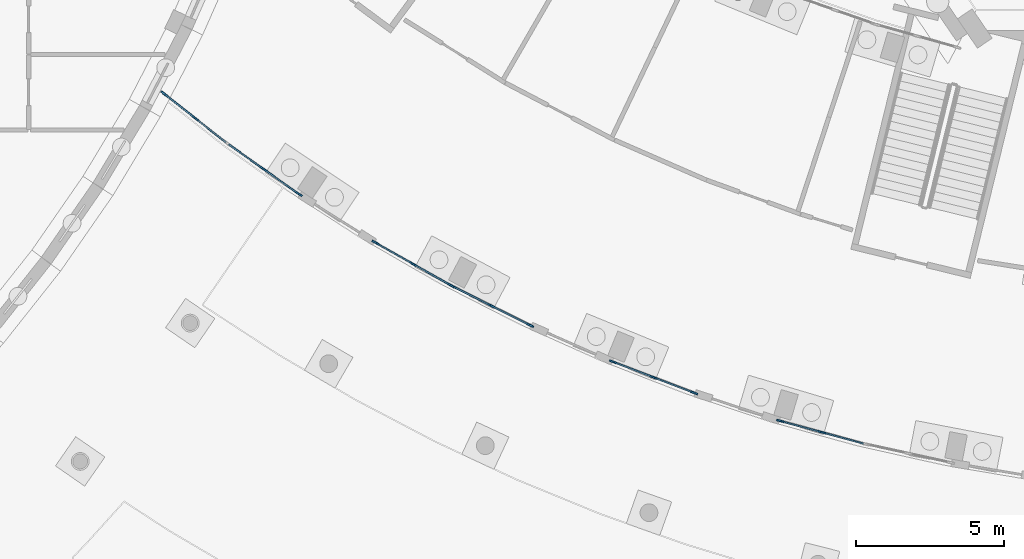
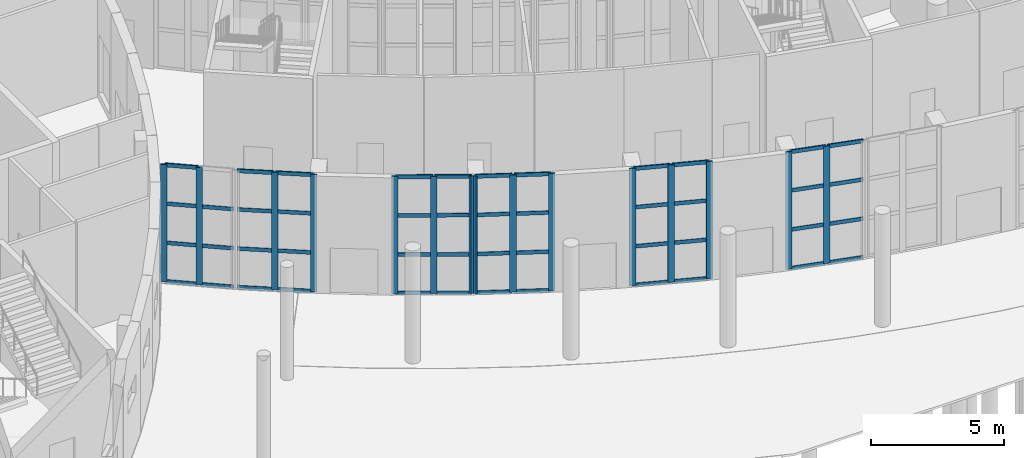
# One storey, part 18 of 82: 62 members, 6 elements without a shape of their own.
"""IFC4 building model written with IfcOpenShell, lengths in metres."""

from ifc_helpers import new_model, si_unit, direction, frame, origin, origin_2d, place, context, subcontext, project, spatial, rectangle, extrude, material, material_profile, profile_set, type_object, element, aggregate, save


model = new_model("IFC4")

# Units and contexts
model_context = context("Model", 3, precision=1e-05, world=origin(), true_north=direction((0.0, 1.0)))
body_context = subcontext(model_context, "Body", "Model", "MODEL_VIEW")
ifc_project = project(units=[si_unit("LENGTHUNIT", "METRE"), si_unit("AREAUNIT", "SQUARE_METRE"), si_unit("VOLUMEUNIT", "CUBIC_METRE"), si_unit("PLANEANGLEUNIT", "RADIAN"), si_unit("MASSUNIT", "GRAM", prefix="KILO")], contexts=[model_context])

# Site, building, storey
site_placement = place(None, origin())
site = spatial("IfcSite", under=ifc_project, at=site_placement, CompositionType="ELEMENT")
building_placement = place(site_placement, origin())
building = spatial("IfcBuilding", under=site, at=building_placement, Name="Tide Square Theatres", CompositionType="ELEMENT")
storey_placement = place(building_placement, origin())
storey = spatial("IfcBuildingStorey", under=building, at=storey_placement, Name="L00", CompositionType="ELEMENT", Elevation=0.0)

# Curtain wall, members
ifc_material_1 = material(Name="Aluminium 6063-T5", Category="aluminium")
curtain_wall_type = type_object("IfcCurtainWallType", Name="Unitised system curtain wall 5400 high", PredefinedType="USERDEFINED", material=ifc_material_1)
curtain_wall_1_placement = place(storey_placement, origin())
curtain_wall_1 = element("IfcCurtainWall", 1, at=curtain_wall_1_placement, inside=storey, type_object=curtain_wall_type, Name="Foyer outer curtain wall", ObjectType="UNITISED SYSTEM", PredefinedType="USERDEFINED")
ifc_material_2 = material(Name="Aluminium 6063-T5", Category="aluminium")
ifc_material_profile_1 = material_profile(ifc_material_2, rectangle(XDim=0.06005859375, YDim=0.25, at=origin_2d()))
ifc_profile_set_1 = profile_set([ifc_material_profile_1], Name="Aluminium 6063-T5")
member_type_1 = type_object("IfcMemberType", Name="Aluminium mullion 60 x 250", PredefinedType="MULLION", material=ifc_profile_set_1)
member_1_placement = place(storey_placement, frame((46.074462890625, 21.67626953125, 0.0), z_axis=(0.0, 0.0, 1.0), x_axis=(0.617609263904, 0.786485090221, 0.0)))
member_1 = element("IfcMember", 2, at=member_1_placement, type_object=member_type_1, Name="CW-01 mullion 1", PredefinedType="MULLION", context=body_context, shape_type="SweptSolid", body=[
    extrude(rectangle(XDim=0.06005859375, YDim=0.25, at=origin_2d()), origin(), (0.0, 0.0, 1.0), 5.39990234375),
])
member_2_placement = place(storey_placement, frame((47.130859375, 20.8466796875, 0.0), z_axis=(0.0, 0.0, 1.0), x_axis=(0.617609263904, 0.786485090221, 0.0)))
member_2 = element("IfcMember", 3, at=member_2_placement, type_object=member_type_1, Name="CW-01 mullion 2", PredefinedType="MULLION", context=body_context, shape_type="SweptSolid", body=[
    extrude(rectangle(XDim=0.06005859375, YDim=0.25, at=origin_2d()), origin(), (0.0, 0.0, 1.0), 5.39990234375),
])

curtain_wall_2_placement = place(storey_placement, origin())
curtain_wall_2 = element("IfcCurtainWall", 4, at=curtain_wall_2_placement, inside=storey, type_object=curtain_wall_type, Name="Foyer outer curtain wall", ObjectType="UNITISED SYSTEM", PredefinedType="USERDEFINED")
member_3_placement = place(storey_placement, frame((49.433837890625, 19.13330078125, 0.0), z_axis=(0.0, 0.0, 1.0), x_axis=(0.577503246104, 0.816388388415, 0.0)))
member_3 = element("IfcMember", 5, at=member_3_placement, type_object=member_type_1, Name="CW-01 mullion 2", PredefinedType="MULLION", context=body_context, shape_type="SweptSolid", body=[
    extrude(rectangle(XDim=0.06005859375, YDim=0.25, at=origin_2d()), origin(), (0.0, 0.0, 1.0), 5.39990234375),
])
member_4_placement = place(storey_placement, frame((50.63232421875, 18.28564453125, 0.0), z_axis=(0.0, 0.0, 1.0), x_axis=(0.577503246104, 0.816388388415, 0.0)))
member_4 = element("IfcMember", 6, at=member_4_placement, type_object=member_type_1, Name="CW-01 mullion 3", PredefinedType="MULLION", context=body_context, shape_type="SweptSolid", body=[
    extrude(rectangle(XDim=0.06005859375, YDim=0.25, at=origin_2d()), origin(), (0.0, 0.0, 1.0), 5.39990234375),
])

curtain_wall_3_placement = place(storey_placement, origin())
curtain_wall_3 = element("IfcCurtainWall", 7, at=curtain_wall_3_placement, inside=storey, type_object=curtain_wall_type, Name="Foyer outer curtain wall", ObjectType="UNITISED SYSTEM", PredefinedType="USERDEFINED")
member_5_placement = place(storey_placement, frame((53.212158203125, 16.64794921875, 0.0), z_axis=(0.0, 0.0, 1.0), x_axis=(0.493019309235, 0.870018368037, 0.0)))
member_5 = element("IfcMember", 8, at=member_5_placement, type_object=member_type_1, Name="CW-01 mullion 1", PredefinedType="MULLION", context=body_context, shape_type="SweptSolid", body=[
    extrude(rectangle(XDim=0.06005859375, YDim=0.25, at=origin_2d()), origin(), (0.0, 0.0, 1.0), 5.39990234375),
])
member_6_placement = place(storey_placement, frame((54.489501953125, 15.924072265625, 0.0), z_axis=(0.0, 0.0, 1.0), x_axis=(0.493019309235, 0.870018368037, 0.0)))
member_6 = element("IfcMember", 9, at=member_6_placement, type_object=member_type_1, Name="CW-01 mullion 2", PredefinedType="MULLION", context=body_context, shape_type="SweptSolid", body=[
    extrude(rectangle(XDim=0.06005859375, YDim=0.25, at=origin_2d()), origin(), (0.0, 0.0, 1.0), 5.39990234375),
])
member_7_placement = place(storey_placement, frame((55.7666015625, 15.200439453125, 0.0), z_axis=(0.0, 0.0, 1.0), x_axis=(0.493019309235, 0.870018368037, 0.0)))
member_7 = element("IfcMember", 10, at=member_7_placement, type_object=member_type_1, Name="CW-01 mullion 3", PredefinedType="MULLION", context=body_context, shape_type="SweptSolid", body=[
    extrude(rectangle(XDim=0.06005859375, YDim=0.25, at=origin_2d()), origin(), (0.0, 0.0, 1.0), 5.39990234375),
])

curtain_wall_4_placement = place(storey_placement, origin())
curtain_wall_4 = element("IfcCurtainWall", 11, at=curtain_wall_4_placement, inside=storey, type_object=curtain_wall_type, Name="Foyer outer curtain wall", ObjectType="UNITISED SYSTEM", PredefinedType="USERDEFINED")
member_8_placement = place(storey_placement, frame((55.819580078125, 15.172119140625, 0.0), z_axis=(0.0, 0.0, 1.0), x_axis=(0.448868382034, 0.893597882501, 0.0)))
member_8 = element("IfcMember", 12, at=member_8_placement, type_object=member_type_1, Name="CW-01 mullion 1", PredefinedType="MULLION", context=body_context, shape_type="SweptSolid", body=[
    extrude(rectangle(XDim=0.06005859375, YDim=0.25, at=origin_2d()), origin(), (0.0, 0.0, 1.0), 5.39990234375),
])
member_9_placement = place(storey_placement, frame((57.13134765625, 14.51318359375, 0.0), z_axis=(0.0, 0.0, 1.0), x_axis=(0.448868382034, 0.893597882501, 0.0)))
member_9 = element("IfcMember", 13, at=member_9_placement, type_object=member_type_1, Name="CW-01 mullion 2", PredefinedType="MULLION", context=body_context, shape_type="SweptSolid", body=[
    extrude(rectangle(XDim=0.06005859375, YDim=0.25, at=origin_2d()), origin(), (0.0, 0.0, 1.0), 5.39990234375),
])
member_10_placement = place(storey_placement, frame((58.443115234375, 13.854248046875, 0.0), z_axis=(0.0, 0.0, 1.0), x_axis=(0.448868382034, 0.893597882501, 0.0)))
member_10 = element("IfcMember", 14, at=member_10_placement, type_object=member_type_1, Name="CW-01 mullion 3", PredefinedType="MULLION", context=body_context, shape_type="SweptSolid", body=[
    extrude(rectangle(XDim=0.06005859375, YDim=0.25, at=origin_2d()), origin(), (0.0, 0.0, 1.0), 5.39990234375),
])

curtain_wall_5_placement = place(storey_placement, origin())
curtain_wall_5 = element("IfcCurtainWall", 15, at=curtain_wall_5_placement, inside=storey, type_object=curtain_wall_type, Name="Foyer outer curtain wall", ObjectType="UNITISED SYSTEM", PredefinedType="USERDEFINED")
member_11_placement = place(storey_placement, frame((61.239013671875, 12.620849609375, 0.0), z_axis=(0.0, 0.0, 1.0), x_axis=(0.357352440873, 0.933969610321, 0.0)))
member_11 = element("IfcMember", 16, at=member_11_placement, type_object=member_type_1, Name="CW-01 mullion 1", PredefinedType="MULLION", context=body_context, shape_type="SweptSolid", body=[
    extrude(rectangle(XDim=0.06005859375, YDim=0.25, at=origin_2d()), origin(), (0.0, 0.0, 1.0), 5.39990234375),
])
member_12_placement = place(storey_placement, frame((62.610107421875, 12.09619140625, 0.0), z_axis=(0.0, 0.0, 1.0), x_axis=(0.357352440873, 0.933969610321, 0.0)))
member_12 = element("IfcMember", 17, at=member_12_placement, type_object=member_type_1, Name="CW-01 mullion 2", PredefinedType="MULLION", context=body_context, shape_type="SweptSolid", body=[
    extrude(rectangle(XDim=0.06005859375, YDim=0.25, at=origin_2d()), origin(), (0.0, 0.0, 1.0), 5.39990234375),
])
member_13_placement = place(storey_placement, frame((63.981201171875, 11.571533203125, 0.0), z_axis=(0.0, 0.0, 1.0), x_axis=(0.357352440873, 0.933969610321, 0.0)))
member_13 = element("IfcMember", 18, at=member_13_placement, type_object=member_type_1, Name="CW-01 mullion 3", PredefinedType="MULLION", context=body_context, shape_type="SweptSolid", body=[
    extrude(rectangle(XDim=0.06005859375, YDim=0.25, at=origin_2d()), origin(), (0.0, 0.0, 1.0), 5.39990234375),
])

curtain_wall_6_placement = place(storey_placement, origin())
curtain_wall_6 = element("IfcCurtainWall", 19, at=curtain_wall_6_placement, inside=storey, type_object=curtain_wall_type, Name="Foyer outer curtain wall", ObjectType="UNITISED SYSTEM", PredefinedType="USERDEFINED")
member_14_placement = place(storey_placement, frame((66.88623046875, 10.62353515625, 0.0), z_axis=(0.0, 0.0, 1.0), x_axis=(0.262213530715, 0.96500987783, 0.0)))
member_14 = element("IfcMember", 20, at=member_14_placement, type_object=member_type_1, Name="CW-01 mullion 1", PredefinedType="MULLION", context=body_context, shape_type="SweptSolid", body=[
    extrude(rectangle(XDim=0.06005859375, YDim=0.25, at=origin_2d()), origin(), (0.0, 0.0, 1.0), 5.39990234375),
])
member_15_placement = place(storey_placement, frame((68.302978515625, 10.23876953125, 0.0), z_axis=(0.0, 0.0, 1.0), x_axis=(0.262213530715, 0.96500987783, 0.0)))
member_15 = element("IfcMember", 21, at=member_15_placement, type_object=member_type_1, Name="CW-01 mullion 2", PredefinedType="MULLION", context=body_context, shape_type="SweptSolid", body=[
    extrude(rectangle(XDim=0.06005859375, YDim=0.25, at=origin_2d()), origin(), (0.0, 0.0, 1.0), 5.39990234375),
])

# Member
ifc_material_3 = material(Name="Aluminium 6063-T5", Category="aluminium")
ifc_material_profile_2 = material_profile(ifc_material_3, rectangle(XDim=0.050048828125, YDim=0.175048828125, at=origin_2d()))
ifc_profile_set_2 = profile_set([ifc_material_profile_2], Name="Aluminium 6063-T5")
member_type_2 = type_object("IfcMemberType", Name="Aluminium transom 50 x 175", PredefinedType="USERDEFINED", material=ifc_profile_set_2)
member_16_placement = place(storey_placement, frame((46.097900390625, 21.65771484375, 0.02490234375), z_axis=(0.786516356224, -0.617569446614, 0.0), x_axis=(0.617569446614, 0.786516356224, 0.0)))
member_16 = element("IfcMember", 22, at=member_16_placement, type_object=member_type_2, Name="CW-01 transom 1.1", ObjectType="TRANSOM", PredefinedType="USERDEFINED", context=body_context, shape_type="SweptSolid", body=[
    extrude(rectangle(XDim=0.050048828125, YDim=0.175048828125, at=origin_2d()), origin(), (0.0, 0.0, 1.0), 1.283203125),
])

member_17_placement = place(storey_placement, frame((46.097900390625, 21.65771484375, 1.800048828125), z_axis=(0.786516356224, -0.617569446614, 0.0), x_axis=(0.617569446614, 0.786516356224, 0.0)))
member_17 = element("IfcMember", 23, at=member_17_placement, type_object=member_type_2, Name="CW-01 transom 1.2", ObjectType="TRANSOM", PredefinedType="USERDEFINED", context=body_context, shape_type="SweptSolid", body=[
    extrude(rectangle(XDim=0.050048828125, YDim=0.175048828125, at=origin_2d()), origin(), (0.0, 0.0, 1.0), 1.283203125),
])

member_18_placement = place(storey_placement, frame((46.097900390625, 21.65771484375, 3.60009765625), z_axis=(0.786516356224, -0.617569446614, 0.0), x_axis=(0.617569446614, 0.786516356224, 0.0)))
member_18 = element("IfcMember", 24, at=member_18_placement, type_object=member_type_2, Name="CW-01 transom 1.3", ObjectType="TRANSOM", PredefinedType="USERDEFINED", context=body_context, shape_type="SweptSolid", body=[
    extrude(rectangle(XDim=0.050048828125, YDim=0.175048828125, at=origin_2d()), origin(), (0.0, 0.0, 1.0), 1.283203125),
])

member_19_placement = place(storey_placement, frame((46.097900390625, 21.65771484375, 5.375), z_axis=(0.786516356224, -0.617569446614, 0.0), x_axis=(0.617569446614, 0.786516356224, 0.0)))
member_19 = element("IfcMember", 25, at=member_19_placement, type_object=member_type_2, Name="CW-01 transom 1.4", ObjectType="TRANSOM", PredefinedType="USERDEFINED", context=body_context, shape_type="SweptSolid", body=[
    extrude(rectangle(XDim=0.050048828125, YDim=0.175048828125, at=origin_2d()), origin(), (0.0, 0.0, 1.0), 1.283203125),
])

member_20_placement = place(storey_placement, frame((47.154296875, 20.828125, 0.02490234375), z_axis=(0.786516356224, -0.617569446614, 0.0), x_axis=(0.617569446614, 0.786516356224, 0.0)))
member_20 = element("IfcMember", 26, at=member_20_placement, type_object=member_type_2, Name="CW-01 transom 2.1", ObjectType="TRANSOM", PredefinedType="USERDEFINED", context=body_context, shape_type="SweptSolid", body=[
    extrude(rectangle(XDim=0.050048828125, YDim=0.175048828125, at=origin_2d()), origin(), (0.0, 0.0, 1.0), 1.283203125),
])

member_21_placement = place(storey_placement, frame((47.154296875, 20.828125, 1.800048828125), z_axis=(0.786516356224, -0.617569446614, 0.0), x_axis=(0.617569446614, 0.786516356224, 0.0)))
member_21 = element("IfcMember", 27, at=member_21_placement, type_object=member_type_2, Name="CW-01 transom 2.2", ObjectType="TRANSOM", PredefinedType="USERDEFINED", context=body_context, shape_type="SweptSolid", body=[
    extrude(rectangle(XDim=0.050048828125, YDim=0.175048828125, at=origin_2d()), origin(), (0.0, 0.0, 1.0), 1.283203125),
])

member_22_placement = place(storey_placement, frame((47.154296875, 20.828125, 3.60009765625), z_axis=(0.786516356224, -0.617569446614, 0.0), x_axis=(0.617569446614, 0.786516356224, 0.0)))
member_22 = element("IfcMember", 28, at=member_22_placement, type_object=member_type_2, Name="CW-01 transom 2.3", ObjectType="TRANSOM", PredefinedType="USERDEFINED", context=body_context, shape_type="SweptSolid", body=[
    extrude(rectangle(XDim=0.050048828125, YDim=0.175048828125, at=origin_2d()), origin(), (0.0, 0.0, 1.0), 1.283203125),
])

aggregate(curtain_wall_1, [member_1, member_2, member_16, member_17, member_18, member_19, member_20, member_21, member_22])

member_23_placement = place(storey_placement, frame((48.259765625, 19.9638671875, 0.02490234375), z_axis=(0.816337873043, -0.577574650617, 0.0), x_axis=(0.577574650617, 0.816337873043, 0.0)))
member_23 = element("IfcMember", 29, at=member_23_placement, type_object=member_type_2, Name="CW-01 transom 1.1", ObjectType="TRANSOM", PredefinedType="USERDEFINED", context=body_context, shape_type="SweptSolid", body=[
    extrude(rectangle(XDim=0.050048828125, YDim=0.175048828125, at=origin_2d()), origin(), (0.0, 0.0, 1.0), 1.407958984375),
])

member_24_placement = place(storey_placement, frame((48.259765625, 19.9638671875, 1.800048828125), z_axis=(0.816337873043, -0.577574650617, 0.0), x_axis=(0.577574650617, 0.816337873043, 0.0)))
member_24 = element("IfcMember", 30, at=member_24_placement, type_object=member_type_2, Name="CW-01 transom 1.2", ObjectType="TRANSOM", PredefinedType="USERDEFINED", context=body_context, shape_type="SweptSolid", body=[
    extrude(rectangle(XDim=0.050048828125, YDim=0.175048828125, at=origin_2d()), origin(), (0.0, 0.0, 1.0), 1.407958984375),
])

member_25_placement = place(storey_placement, frame((48.259765625, 19.9638671875, 3.60009765625), z_axis=(0.816337873043, -0.577574650617, 0.0), x_axis=(0.577574650617, 0.816337873043, 0.0)))
member_25 = element("IfcMember", 31, at=member_25_placement, type_object=member_type_2, Name="CW-01 transom 1.3", ObjectType="TRANSOM", PredefinedType="USERDEFINED", context=body_context, shape_type="SweptSolid", body=[
    extrude(rectangle(XDim=0.050048828125, YDim=0.175048828125, at=origin_2d()), origin(), (0.0, 0.0, 1.0), 1.407958984375),
])

member_26_placement = place(storey_placement, frame((48.259765625, 19.9638671875, 5.375), z_axis=(0.816337873043, -0.577574650617, 0.0), x_axis=(0.577574650617, 0.816337873043, 0.0)))
member_26 = element("IfcMember", 32, at=member_26_placement, type_object=member_type_2, Name="CW-01 transom 1.4", ObjectType="TRANSOM", PredefinedType="USERDEFINED", context=body_context, shape_type="SweptSolid", body=[
    extrude(rectangle(XDim=0.050048828125, YDim=0.175048828125, at=origin_2d()), origin(), (0.0, 0.0, 1.0), 1.407958984375),
])

member_27_placement = place(storey_placement, frame((49.458251953125, 19.115966796875, 0.02490234375), z_axis=(0.816419627531, -0.577459082345, 0.0), x_axis=(0.577459082345, 0.816419627531, 0.0)))
member_27 = element("IfcMember", 33, at=member_27_placement, type_object=member_type_2, Name="CW-01 transom 2.1", ObjectType="TRANSOM", PredefinedType="USERDEFINED", context=body_context, shape_type="SweptSolid", body=[
    extrude(rectangle(XDim=0.050048828125, YDim=0.175048828125, at=origin_2d()), origin(), (0.0, 0.0, 1.0), 1.407958984375),
])

member_28_placement = place(storey_placement, frame((49.458251953125, 19.115966796875, 1.800048828125), z_axis=(0.816419627531, -0.577459082345, 0.0), x_axis=(0.577459082345, 0.816419627531, 0.0)))
member_28 = element("IfcMember", 34, at=member_28_placement, type_object=member_type_2, Name="CW-01 transom 2.2", ObjectType="TRANSOM", PredefinedType="USERDEFINED", context=body_context, shape_type="SweptSolid", body=[
    extrude(rectangle(XDim=0.050048828125, YDim=0.175048828125, at=origin_2d()), origin(), (0.0, 0.0, 1.0), 1.407958984375),
])

member_29_placement = place(storey_placement, frame((49.458251953125, 19.115966796875, 3.60009765625), z_axis=(0.816419627531, -0.577459082345, 0.0), x_axis=(0.577459082345, 0.816419627531, 0.0)))
member_29 = element("IfcMember", 35, at=member_29_placement, type_object=member_type_2, Name="CW-01 transom 2.3", ObjectType="TRANSOM", PredefinedType="USERDEFINED", context=body_context, shape_type="SweptSolid", body=[
    extrude(rectangle(XDim=0.050048828125, YDim=0.175048828125, at=origin_2d()), origin(), (0.0, 0.0, 1.0), 1.407958984375),
])

member_30_placement = place(storey_placement, frame((49.458251953125, 19.115966796875, 5.375), z_axis=(0.816419627531, -0.577459082345, 0.0), x_axis=(0.577459082345, 0.816419627531, 0.0)))
member_30 = element("IfcMember", 36, at=member_30_placement, type_object=member_type_2, Name="CW-01 transom 2.4", ObjectType="TRANSOM", PredefinedType="USERDEFINED", context=body_context, shape_type="SweptSolid", body=[
    extrude(rectangle(XDim=0.050048828125, YDim=0.175048828125, at=origin_2d()), origin(), (0.0, 0.0, 1.0), 1.407958984375),
])

aggregate(curtain_wall_2, [member_3, member_4, member_23, member_24, member_25, member_26, member_27, member_28, member_29, member_30])

member_31_placement = place(storey_placement, frame((53.23828125, 16.633056640625, 0.02490234375), z_axis=(0.870061847947, -0.492942573478, 0.0), x_axis=(0.492942573478, 0.870061847947, 0.0)))
member_31 = element("IfcMember", 37, at=member_31_placement, type_object=member_type_2, Name="CW-01 transom 1.1", ObjectType="TRANSOM", PredefinedType="USERDEFINED", context=body_context, shape_type="SweptSolid", body=[
    extrude(rectangle(XDim=0.050048828125, YDim=0.175048828125, at=origin_2d()), origin(), (0.0, 0.0, 1.0), 1.407958984375),
])

member_32_placement = place(storey_placement, frame((53.23828125, 16.633056640625, 1.800048828125), z_axis=(0.870061847947, -0.492942573478, 0.0), x_axis=(0.492942573478, 0.870061847947, 0.0)))
member_32 = element("IfcMember", 38, at=member_32_placement, type_object=member_type_2, Name="CW-01 transom 1.2", ObjectType="TRANSOM", PredefinedType="USERDEFINED", context=body_context, shape_type="SweptSolid", body=[
    extrude(rectangle(XDim=0.050048828125, YDim=0.175048828125, at=origin_2d()), origin(), (0.0, 0.0, 1.0), 1.407958984375),
])

member_33_placement = place(storey_placement, frame((53.23828125, 16.633056640625, 3.60009765625), z_axis=(0.870061847947, -0.492942573478, 0.0), x_axis=(0.492942573478, 0.870061847947, 0.0)))
member_33 = element("IfcMember", 39, at=member_33_placement, type_object=member_type_2, Name="CW-01 transom 1.3", ObjectType="TRANSOM", PredefinedType="USERDEFINED", context=body_context, shape_type="SweptSolid", body=[
    extrude(rectangle(XDim=0.050048828125, YDim=0.175048828125, at=origin_2d()), origin(), (0.0, 0.0, 1.0), 1.407958984375),
])

member_34_placement = place(storey_placement, frame((53.23828125, 16.633056640625, 5.375), z_axis=(0.870061847947, -0.492942573478, 0.0), x_axis=(0.492942573478, 0.870061847947, 0.0)))
member_34 = element("IfcMember", 40, at=member_34_placement, type_object=member_type_2, Name="CW-01 transom 1.4", ObjectType="TRANSOM", PredefinedType="USERDEFINED", context=body_context, shape_type="SweptSolid", body=[
    extrude(rectangle(XDim=0.050048828125, YDim=0.175048828125, at=origin_2d()), origin(), (0.0, 0.0, 1.0), 1.407958984375),
])

member_35_placement = place(storey_placement, frame((54.515380859375, 15.909423828125, 0.02490234375), z_axis=(0.86998747986, -0.493073812818, 0.0), x_axis=(0.493073812818, 0.86998747986, 0.0)))
member_35 = element("IfcMember", 41, at=member_35_placement, type_object=member_type_2, Name="CW-01 transom 2.1", ObjectType="TRANSOM", PredefinedType="USERDEFINED", context=body_context, shape_type="SweptSolid", body=[
    extrude(rectangle(XDim=0.050048828125, YDim=0.175048828125, at=origin_2d()), origin(), (0.0, 0.0, 1.0), 1.408203125),
])

member_36_placement = place(storey_placement, frame((54.515380859375, 15.909423828125, 1.800048828125), z_axis=(0.86998747986, -0.493073812818, 0.0), x_axis=(0.493073812818, 0.86998747986, 0.0)))
member_36 = element("IfcMember", 42, at=member_36_placement, type_object=member_type_2, Name="CW-01 transom 2.2", ObjectType="TRANSOM", PredefinedType="USERDEFINED", context=body_context, shape_type="SweptSolid", body=[
    extrude(rectangle(XDim=0.050048828125, YDim=0.175048828125, at=origin_2d()), origin(), (0.0, 0.0, 1.0), 1.408203125),
])

member_37_placement = place(storey_placement, frame((54.515380859375, 15.909423828125, 3.60009765625), z_axis=(0.86998747986, -0.493073812818, 0.0), x_axis=(0.493073812818, 0.86998747986, 0.0)))
member_37 = element("IfcMember", 43, at=member_37_placement, type_object=member_type_2, Name="CW-01 transom 2.3", ObjectType="TRANSOM", PredefinedType="USERDEFINED", context=body_context, shape_type="SweptSolid", body=[
    extrude(rectangle(XDim=0.050048828125, YDim=0.175048828125, at=origin_2d()), origin(), (0.0, 0.0, 1.0), 1.408203125),
])

member_38_placement = place(storey_placement, frame((54.515380859375, 15.909423828125, 5.375), z_axis=(0.86998747986, -0.493073812818, 0.0), x_axis=(0.493073812818, 0.86998747986, 0.0)))
member_38 = element("IfcMember", 44, at=member_38_placement, type_object=member_type_2, Name="CW-01 transom 2.4", ObjectType="TRANSOM", PredefinedType="USERDEFINED", context=body_context, shape_type="SweptSolid", body=[
    extrude(rectangle(XDim=0.050048828125, YDim=0.175048828125, at=origin_2d()), origin(), (0.0, 0.0, 1.0), 1.408203125),
])

aggregate(curtain_wall_3, [member_5, member_6, member_7, member_31, member_32, member_33, member_34, member_35, member_36, member_37, member_38])

member_39_placement = place(storey_placement, frame((55.846435546875, 15.15869140625, 0.02490234375), z_axis=(0.893558482621, -0.448946809918, 0.0), x_axis=(0.448946809918, 0.893558482621, 0.0)))
member_39 = element("IfcMember", 45, at=member_39_placement, type_object=member_type_2, Name="CW-01 transom 1.1", ObjectType="TRANSOM", PredefinedType="USERDEFINED", context=body_context, shape_type="SweptSolid", body=[
    extrude(rectangle(XDim=0.050048828125, YDim=0.175048828125, at=origin_2d()), origin(), (0.0, 0.0, 1.0), 1.407958984375),
])

member_40_placement = place(storey_placement, frame((55.846435546875, 15.15869140625, 1.800048828125), z_axis=(0.893558482621, -0.448946809918, 0.0), x_axis=(0.448946809918, 0.893558482621, 0.0)))
member_40 = element("IfcMember", 46, at=member_40_placement, type_object=member_type_2, Name="CW-01 transom 1.2", ObjectType="TRANSOM", PredefinedType="USERDEFINED", context=body_context, shape_type="SweptSolid", body=[
    extrude(rectangle(XDim=0.050048828125, YDim=0.175048828125, at=origin_2d()), origin(), (0.0, 0.0, 1.0), 1.407958984375),
])

member_41_placement = place(storey_placement, frame((55.846435546875, 15.15869140625, 3.60009765625), z_axis=(0.893558482621, -0.448946809918, 0.0), x_axis=(0.448946809918, 0.893558482621, 0.0)))
member_41 = element("IfcMember", 47, at=member_41_placement, type_object=member_type_2, Name="CW-01 transom 1.3", ObjectType="TRANSOM", PredefinedType="USERDEFINED", context=body_context, shape_type="SweptSolid", body=[
    extrude(rectangle(XDim=0.050048828125, YDim=0.175048828125, at=origin_2d()), origin(), (0.0, 0.0, 1.0), 1.407958984375),
])

member_42_placement = place(storey_placement, frame((55.846435546875, 15.15869140625, 5.375), z_axis=(0.893558482621, -0.448946809918, 0.0), x_axis=(0.448946809918, 0.893558482621, 0.0)))
member_42 = element("IfcMember", 48, at=member_42_placement, type_object=member_type_2, Name="CW-01 transom 1.4", ObjectType="TRANSOM", PredefinedType="USERDEFINED", context=body_context, shape_type="SweptSolid", body=[
    extrude(rectangle(XDim=0.050048828125, YDim=0.175048828125, at=origin_2d()), origin(), (0.0, 0.0, 1.0), 1.407958984375),
])

member_43_placement = place(storey_placement, frame((57.158203125, 14.499755859375, 0.02490234375), z_axis=(0.893558482621, -0.448946809918, 0.0), x_axis=(0.448946809918, 0.893558482621, 0.0)))
member_43 = element("IfcMember", 49, at=member_43_placement, type_object=member_type_2, Name="CW-01 transom 2.1", ObjectType="TRANSOM", PredefinedType="USERDEFINED", context=body_context, shape_type="SweptSolid", body=[
    extrude(rectangle(XDim=0.050048828125, YDim=0.175048828125, at=origin_2d()), origin(), (0.0, 0.0, 1.0), 1.407958984375),
])

member_44_placement = place(storey_placement, frame((57.158203125, 14.499755859375, 1.800048828125), z_axis=(0.893558482621, -0.448946809918, 0.0), x_axis=(0.448946809918, 0.893558482621, 0.0)))
member_44 = element("IfcMember", 50, at=member_44_placement, type_object=member_type_2, Name="CW-01 transom 2.2", ObjectType="TRANSOM", PredefinedType="USERDEFINED", context=body_context, shape_type="SweptSolid", body=[
    extrude(rectangle(XDim=0.050048828125, YDim=0.175048828125, at=origin_2d()), origin(), (0.0, 0.0, 1.0), 1.407958984375),
])

member_45_placement = place(storey_placement, frame((57.158203125, 14.499755859375, 3.60009765625), z_axis=(0.893558482621, -0.448946809918, 0.0), x_axis=(0.448946809918, 0.893558482621, 0.0)))
member_45 = element("IfcMember", 51, at=member_45_placement, type_object=member_type_2, Name="CW-01 transom 2.3", ObjectType="TRANSOM", PredefinedType="USERDEFINED", context=body_context, shape_type="SweptSolid", body=[
    extrude(rectangle(XDim=0.050048828125, YDim=0.175048828125, at=origin_2d()), origin(), (0.0, 0.0, 1.0), 1.407958984375),
])

member_46_placement = place(storey_placement, frame((57.158203125, 14.499755859375, 5.375), z_axis=(0.893558482621, -0.448946809918, 0.0), x_axis=(0.448946809918, 0.893558482621, 0.0)))
member_46 = element("IfcMember", 52, at=member_46_placement, type_object=member_type_2, Name="CW-01 transom 2.4", ObjectType="TRANSOM", PredefinedType="USERDEFINED", context=body_context, shape_type="SweptSolid", body=[
    extrude(rectangle(XDim=0.050048828125, YDim=0.175048828125, at=origin_2d()), origin(), (0.0, 0.0, 1.0), 1.407958984375),
])

aggregate(curtain_wall_4, [member_8, member_9, member_10, member_39, member_40, member_41, member_42, member_43, member_44, member_45, member_46])

member_47_placement = place(storey_placement, frame((61.26708984375, 12.610107421875, 0.02490234375), z_axis=(0.933956527304, -0.357386632524, 0.0), x_axis=(0.357386632524, 0.933956527304, 0.0)))
member_47 = element("IfcMember", 53, at=member_47_placement, type_object=member_type_2, Name="CW-01 transom 1.1", ObjectType="TRANSOM", PredefinedType="USERDEFINED", context=body_context, shape_type="SweptSolid", body=[
    extrude(rectangle(XDim=0.050048828125, YDim=0.175048828125, at=origin_2d()), origin(), (0.0, 0.0, 1.0), 1.407958984375),
])

member_48_placement = place(storey_placement, frame((61.26708984375, 12.610107421875, 1.800048828125), z_axis=(0.933956527304, -0.357386632524, 0.0), x_axis=(0.357386632524, 0.933956527304, 0.0)))
member_48 = element("IfcMember", 54, at=member_48_placement, type_object=member_type_2, Name="CW-01 transom 1.2", ObjectType="TRANSOM", PredefinedType="USERDEFINED", context=body_context, shape_type="SweptSolid", body=[
    extrude(rectangle(XDim=0.050048828125, YDim=0.175048828125, at=origin_2d()), origin(), (0.0, 0.0, 1.0), 1.407958984375),
])

member_49_placement = place(storey_placement, frame((61.26708984375, 12.610107421875, 3.60009765625), z_axis=(0.933956527304, -0.357386632524, 0.0), x_axis=(0.357386632524, 0.933956527304, 0.0)))
member_49 = element("IfcMember", 55, at=member_49_placement, type_object=member_type_2, Name="CW-01 transom 1.3", ObjectType="TRANSOM", PredefinedType="USERDEFINED", context=body_context, shape_type="SweptSolid", body=[
    extrude(rectangle(XDim=0.050048828125, YDim=0.175048828125, at=origin_2d()), origin(), (0.0, 0.0, 1.0), 1.407958984375),
])

member_50_placement = place(storey_placement, frame((61.26708984375, 12.610107421875, 5.375), z_axis=(0.933956527304, -0.357386632524, 0.0), x_axis=(0.357386632524, 0.933956527304, 0.0)))
member_50 = element("IfcMember", 56, at=member_50_placement, type_object=member_type_2, Name="CW-01 transom 1.4", ObjectType="TRANSOM", PredefinedType="USERDEFINED", context=body_context, shape_type="SweptSolid", body=[
    extrude(rectangle(XDim=0.050048828125, YDim=0.175048828125, at=origin_2d()), origin(), (0.0, 0.0, 1.0), 1.407958984375),
])

member_51_placement = place(storey_placement, frame((62.63818359375, 12.08544921875, 0.02490234375), z_axis=(0.933956527304, -0.357386632524, 0.0), x_axis=(0.357386632524, 0.933956527304, 0.0)))
member_51 = element("IfcMember", 57, at=member_51_placement, type_object=member_type_2, Name="CW-01 transom 2.1", ObjectType="TRANSOM", PredefinedType="USERDEFINED", context=body_context, shape_type="SweptSolid", body=[
    extrude(rectangle(XDim=0.050048828125, YDim=0.175048828125, at=origin_2d()), origin(), (0.0, 0.0, 1.0), 1.407958984375),
])

member_52_placement = place(storey_placement, frame((62.63818359375, 12.08544921875, 1.800048828125), z_axis=(0.933956527304, -0.357386632524, 0.0), x_axis=(0.357386632524, 0.933956527304, 0.0)))
member_52 = element("IfcMember", 58, at=member_52_placement, type_object=member_type_2, Name="CW-01 transom 2.2", ObjectType="TRANSOM", PredefinedType="USERDEFINED", context=body_context, shape_type="SweptSolid", body=[
    extrude(rectangle(XDim=0.050048828125, YDim=0.175048828125, at=origin_2d()), origin(), (0.0, 0.0, 1.0), 1.407958984375),
])

member_53_placement = place(storey_placement, frame((62.63818359375, 12.08544921875, 3.60009765625), z_axis=(0.933956527304, -0.357386632524, 0.0), x_axis=(0.357386632524, 0.933956527304, 0.0)))
member_53 = element("IfcMember", 59, at=member_53_placement, type_object=member_type_2, Name="CW-01 transom 2.3", ObjectType="TRANSOM", PredefinedType="USERDEFINED", context=body_context, shape_type="SweptSolid", body=[
    extrude(rectangle(XDim=0.050048828125, YDim=0.175048828125, at=origin_2d()), origin(), (0.0, 0.0, 1.0), 1.407958984375),
])

member_54_placement = place(storey_placement, frame((62.63818359375, 12.08544921875, 5.375), z_axis=(0.933956527304, -0.357386632524, 0.0), x_axis=(0.357386632524, 0.933956527304, 0.0)))
member_54 = element("IfcMember", 60, at=member_54_placement, type_object=member_type_2, Name="CW-01 transom 2.4", ObjectType="TRANSOM", PredefinedType="USERDEFINED", context=body_context, shape_type="SweptSolid", body=[
    extrude(rectangle(XDim=0.050048828125, YDim=0.175048828125, at=origin_2d()), origin(), (0.0, 0.0, 1.0), 1.407958984375),
])

aggregate(curtain_wall_5, [member_11, member_12, member_13, member_47, member_48, member_49, member_50, member_51, member_52, member_53, member_54])

member_55_placement = place(storey_placement, frame((66.915283203125, 10.61572265625, 0.02490234375), z_axis=(0.965015486922, -0.262192887013, 0.0), x_axis=(0.262192887013, 0.965015486922, 0.0)))
member_55 = element("IfcMember", 61, at=member_55_placement, type_object=member_type_2, Name="CW-01 transom 1.1", ObjectType="TRANSOM", PredefinedType="USERDEFINED", context=body_context, shape_type="SweptSolid", body=[
    extrude(rectangle(XDim=0.050048828125, YDim=0.175048828125, at=origin_2d()), origin(), (0.0, 0.0, 1.0), 1.407958984375),
])

member_56_placement = place(storey_placement, frame((66.915283203125, 10.61572265625, 1.800048828125), z_axis=(0.965015486922, -0.262192887013, 0.0), x_axis=(0.262192887013, 0.965015486922, 0.0)))
member_56 = element("IfcMember", 62, at=member_56_placement, type_object=member_type_2, Name="CW-01 transom 1.2", ObjectType="TRANSOM", PredefinedType="USERDEFINED", context=body_context, shape_type="SweptSolid", body=[
    extrude(rectangle(XDim=0.050048828125, YDim=0.175048828125, at=origin_2d()), origin(), (0.0, 0.0, 1.0), 1.407958984375),
])

member_57_placement = place(storey_placement, frame((66.915283203125, 10.61572265625, 3.60009765625), z_axis=(0.965015486922, -0.262192887013, 0.0), x_axis=(0.262192887013, 0.965015486922, 0.0)))
member_57 = element("IfcMember", 63, at=member_57_placement, type_object=member_type_2, Name="CW-01 transom 1.3", ObjectType="TRANSOM", PredefinedType="USERDEFINED", context=body_context, shape_type="SweptSolid", body=[
    extrude(rectangle(XDim=0.050048828125, YDim=0.175048828125, at=origin_2d()), origin(), (0.0, 0.0, 1.0), 1.407958984375),
])

member_58_placement = place(storey_placement, frame((66.915283203125, 10.61572265625, 5.375), z_axis=(0.965015486922, -0.262192887013, 0.0), x_axis=(0.262192887013, 0.965015486922, 0.0)))
member_58 = element("IfcMember", 64, at=member_58_placement, type_object=member_type_2, Name="CW-01 transom 1.4", ObjectType="TRANSOM", PredefinedType="USERDEFINED", context=body_context, shape_type="SweptSolid", body=[
    extrude(rectangle(XDim=0.050048828125, YDim=0.175048828125, at=origin_2d()), origin(), (0.0, 0.0, 1.0), 1.407958984375),
])

member_59_placement = place(storey_placement, frame((68.331787109375, 10.230712890625, 0.02490234375), z_axis=(0.965027404882, -0.262149018358, 0.0), x_axis=(0.262149018358, 0.965027404882, 0.0)))
member_59 = element("IfcMember", 65, at=member_59_placement, type_object=member_type_2, Name="CW-01 transom 2.1", ObjectType="TRANSOM", PredefinedType="USERDEFINED", context=body_context, shape_type="SweptSolid", body=[
    extrude(rectangle(XDim=0.050048828125, YDim=0.175048828125, at=origin_2d()), origin(), (0.0, 0.0, 1.0), 1.408203125),
])

member_60_placement = place(storey_placement, frame((68.331787109375, 10.230712890625, 1.800048828125), z_axis=(0.965027404882, -0.262149018358, 0.0), x_axis=(0.262149018358, 0.965027404882, 0.0)))
member_60 = element("IfcMember", 66, at=member_60_placement, type_object=member_type_2, Name="CW-01 transom 2.2", ObjectType="TRANSOM", PredefinedType="USERDEFINED", context=body_context, shape_type="SweptSolid", body=[
    extrude(rectangle(XDim=0.050048828125, YDim=0.175048828125, at=origin_2d()), origin(), (0.0, 0.0, 1.0), 1.408203125),
])

member_61_placement = place(storey_placement, frame((68.331787109375, 10.230712890625, 3.60009765625), z_axis=(0.965027404882, -0.262149018358, 0.0), x_axis=(0.262149018358, 0.965027404882, 0.0)))
member_61 = element("IfcMember", 67, at=member_61_placement, type_object=member_type_2, Name="CW-01 transom 2.3", ObjectType="TRANSOM", PredefinedType="USERDEFINED", context=body_context, shape_type="SweptSolid", body=[
    extrude(rectangle(XDim=0.050048828125, YDim=0.175048828125, at=origin_2d()), origin(), (0.0, 0.0, 1.0), 1.408203125),
])

member_62_placement = place(storey_placement, frame((68.331787109375, 10.230712890625, 5.375), z_axis=(0.965027404882, -0.262149018358, 0.0), x_axis=(0.262149018358, 0.965027404882, 0.0)))
member_62 = element("IfcMember", 68, at=member_62_placement, type_object=member_type_2, Name="CW-01 transom 2.4", ObjectType="TRANSOM", PredefinedType="USERDEFINED", context=body_context, shape_type="SweptSolid", body=[
    extrude(rectangle(XDim=0.050048828125, YDim=0.175048828125, at=origin_2d()), origin(), (0.0, 0.0, 1.0), 1.408203125),
])

aggregate(curtain_wall_6, [member_14, member_15, member_55, member_56, member_57, member_58, member_59, member_60, member_61, member_62])

save(model, "model.ifc")
